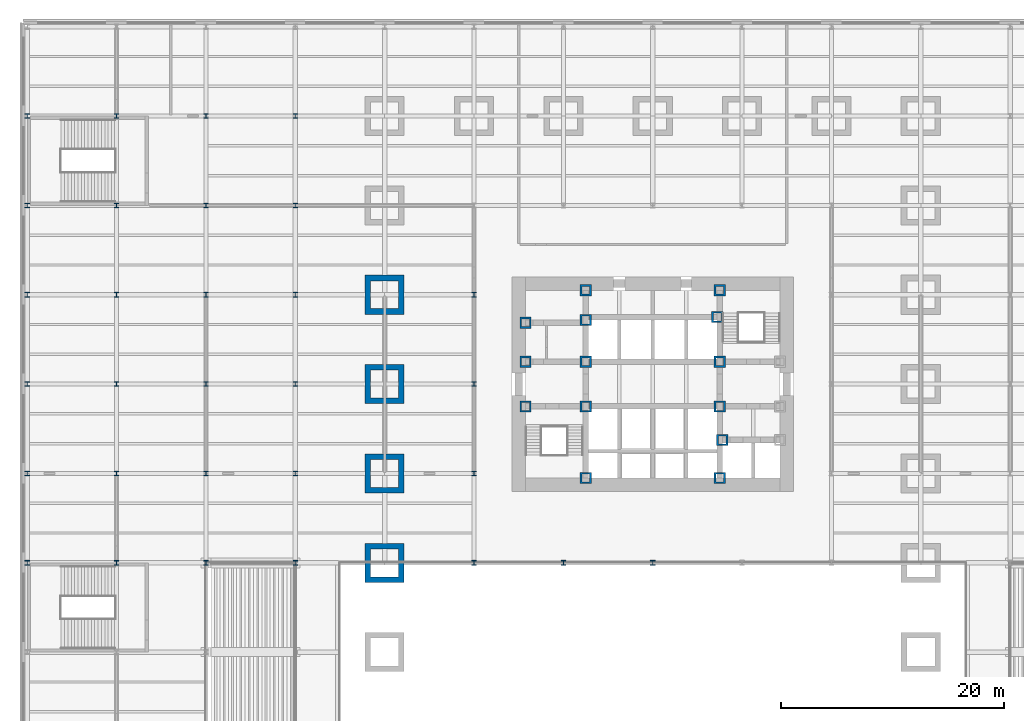
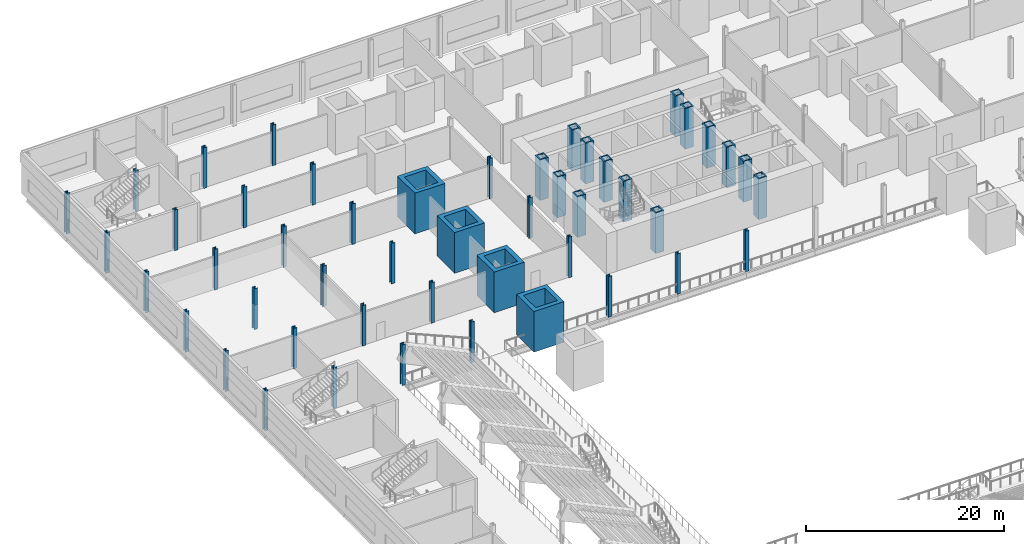
# One storey, part 4 of 27: 48 columns.
"""IFC4 building model written with IfcOpenShell, lengths in metres."""

import ifcopenshell
import ifcopenshell.guid

model = None  # the IFC model being written
_history = None  # IfcOwnerHistory: only IFC2X3 demands one
_inside = {}  # id of a spatial element -> (the spatial element, [elements in it])
_under = {}  # id of a project, library or spatial element -> (it, [spatial elements below it])
_declared = {}  # id of a project -> (the project, [libraries it declares])
_typed = {}  # id of a type object -> (the type object, [elements of that type])
_made_of = {}  # id of a material, layer set ... -> (it, [elements and type objects made of it])


def new_model(schema):
    """Start an empty IFC model of exactly this schema.

    Asked for "IFC4X3", IfcOpenShell would pick the latest addendum, in which some entities
    have other attributes; the version numbers below select the first issue.
    IFC2X3 requires an IfcOwnerHistory on every rooted entity: one is made here for all.
    """
    global model, _history
    if schema == "IFC4X3":
        model = ifcopenshell.file(schema_version=(4, 3, 0, 0))
    else:
        model = ifcopenshell.file(schema=schema)
    _inside.clear()
    _under.clear()
    _declared.clear()
    _typed.clear()
    _made_of.clear()
    _history = None
    if model.schema == "IFC2X3":
        org = make("IfcOrganization", Name="unknown")
        user = make(
            "IfcPersonAndOrganization",
            ThePerson=make("IfcPerson", FamilyName="unknown"),
            TheOrganization=org,
        )
        app = make(
            "IfcApplication",
            ApplicationDeveloper=org,
            Version="unknown",
            ApplicationFullName="unknown",
            ApplicationIdentifier="unknown",
        )
        _history = make(
            "IfcOwnerHistory",
            OwningUser=user,
            OwningApplication=app,
            ChangeAction="ADDED",
            CreationDate=0,
        )
    return model


def make(cls, **values):
    """One entity of the class cls with the attributes given. An attribute that is None is left unset."""
    return model.create_entity(
        cls, **{name: value for name, value in values.items() if value is not None}
    )


def rooted(cls, **values):
    """An entity with a GlobalId (a new one), such as an element, a storey or a relation."""
    return make(cls, GlobalId=ifcopenshell.guid.new(), OwnerHistory=_history, **values)


def si_unit(unit_type, name, prefix=None):
    """IfcSIUnit, for example si_unit("LENGTHUNIT", "METRE", prefix="MILLI")."""
    return make("IfcSIUnit", UnitType=unit_type, Prefix=prefix, Name=name)


def assignment(units):
    """IfcUnitAssignment: the units of a project."""
    return None if units is None else make("IfcUnitAssignment", Units=units)


def point(xyz):
    """IfcCartesianPoint."""
    return None if xyz is None else make("IfcCartesianPoint", Coordinates=xyz)


def direction(xyz):
    """IfcDirection."""
    return None if xyz is None else make("IfcDirection", DirectionRatios=xyz)


def frame(location, z_axis=None, x_axis=None):
    """IfcAxis2Placement3D, a coordinate frame: its origin and axes. An axis left out is left unset."""
    return make(
        "IfcAxis2Placement3D",
        Location=point(location),
        Axis=direction(z_axis),
        RefDirection=direction(x_axis),
    )


def frame_2d(location, x_axis=None):
    """IfcAxis2Placement2D, a coordinate frame in the plane: its origin and x axis."""
    return make(
        "IfcAxis2Placement2D", Location=point(location), RefDirection=direction(x_axis)
    )


def origin():
    """The frame at (0, 0, 0) with its axes left unset."""
    return frame((0.0, 0.0, 0.0))


def origin_2d():
    """The frame at (0, 0) in the plane with its x axis left unset."""
    return frame_2d((0.0, 0.0))


def place(relative_to, where):
    """IfcLocalPlacement: puts the frame where relative to a parent placement (None: the world)."""
    return make(
        "IfcLocalPlacement", PlacementRelTo=relative_to, RelativePlacement=where
    )


def context(
    kind, dimensions, precision=None, world=None, true_north=None, identifier=None
):
    """IfcGeometricRepresentationContext, for example the 3D "Model" context."""
    return make(
        "IfcGeometricRepresentationContext",
        ContextIdentifier=identifier,
        ContextType=kind,
        CoordinateSpaceDimension=dimensions,
        Precision=precision,
        WorldCoordinateSystem=world,
        TrueNorth=true_north,
    )


def subcontext(parent, identifier, kind, view, scale=None):
    """IfcGeometricRepresentationSubContext, for example "Body" below "Model"."""
    return make(
        "IfcGeometricRepresentationSubContext",
        ContextIdentifier=identifier,
        ContextType=kind,
        ParentContext=parent,
        TargetScale=scale,
        TargetView=view,
    )


def project(units=None, contexts=None):
    """IfcProject with its units and contexts."""
    return rooted(
        "IfcProject",
        Name="project",
        RepresentationContexts=contexts,
        UnitsInContext=assignment(units),
    )


def spatial(cls, under=None, at=None, **own):
    """A site, building, storey or space (cls), placed at a placement, below another one or the project."""
    s = rooted(cls, ObjectPlacement=at, **own)
    if under is not None:
        _under.setdefault(under.id(), (under, []))[1].append(s)
    return s


def profile(cls, at=None, kind="AREA", **sizes):
    """A parametric profile (cls). Its sizes go by their IFC names, for example OverallWidth=200.0."""
    return make(cls, ProfileType=kind, Position=at, **sizes)


def hollow_rectangle(**sizes):
    """IfcRectangleHollowProfileDef."""
    return profile("IfcRectangleHollowProfileDef", **sizes)


def i_section(**sizes):
    """IfcIShapeProfileDef."""
    return profile("IfcIShapeProfileDef", **sizes)


def extrude(swept, where, along, depth):
    """IfcExtrudedAreaSolid: the profile swept, set in the frame where, extruded along a direction by depth."""
    return make(
        "IfcExtrudedAreaSolid",
        SweptArea=swept,
        Position=where,
        ExtrudedDirection=direction(along),
        Depth=depth,
    )


def shape(context_of_items, identifier, shape_type, items):
    """IfcShapeRepresentation: the items that make up one representation, for example the "Body"."""
    return make(
        "IfcShapeRepresentation",
        ContextOfItems=context_of_items,
        RepresentationIdentifier=identifier,
        RepresentationType=shape_type,
        Items=items,
    )


def material(Name=None, Category=None):
    """IfcMaterial."""
    return make("IfcMaterial", Name=Name, Category=Category)


def material_profile(
    of_material, cross_section, Name=None, Category=None, Priority=None
):
    """IfcMaterialProfile: a cross section and its material."""
    return make(
        "IfcMaterialProfile",
        Name=Name,
        Material=of_material,
        Profile=cross_section,
        Priority=Priority,
        Category=Category,
    )


def profile_set(profiles, Name=None, composite=None):
    """IfcMaterialProfileSet."""
    return make(
        "IfcMaterialProfileSet",
        Name=Name,
        MaterialProfiles=profiles,
        CompositeProfile=composite,
    )


def made_of(thing, what):
    """Note that an element or type object is made of a material, layer set ...; save() writes the relation."""
    if what is not None:
        _made_of.setdefault(what.id(), (what, []))[1].append(thing)
    return thing


def type_object(cls, material=None, **own):
    """A type object (cls), such as IfcWallType, which elements share."""
    return made_of(rooted(cls, **own), material)


def element(
    cls,
    number,
    at=None,
    inside=None,
    cuts=None,
    type_object=None,
    material=None,
    context=None,
    identifier="Body",
    shape_type=None,
    held_by="IfcProductDefinitionShape",
    body=None,
    shapes=None,
    **own,
):
    """One element of the class cls, such as IfcWall. Its Tag is "e" and its number.

    at: its placement. inside: the storey or other place that contains it. cuts: it is an
    opening in that element (IfcRelVoidsElement). A single representation is given by context,
    identifier, shape_type and body (its items); several are given by shapes. held_by: the class
    of the entity that holds the representations. save() writes the other relations.
    """
    e = rooted(cls, Tag="e%d" % number, ObjectPlacement=at, **own)
    if body is not None:
        shapes = [shape(context, identifier, shape_type, body)]
    if shapes is not None:
        e.Representation = make(held_by, Representations=shapes)
    if inside is not None:
        _inside.setdefault(inside.id(), (inside, []))[1].append(e)
    if cuts is not None:
        rooted(
            "IfcRelVoidsElement", RelatingBuildingElement=cuts, RelatedOpeningElement=e
        )
    if type_object is not None:
        _typed.setdefault(type_object.id(), (type_object, []))[1].append(e)
    return made_of(e, material)


def aggregate(whole, parts):
    """IfcRelAggregates: a whole, such as a stair, and the parts it consists of."""
    return rooted("IfcRelAggregates", RelatingObject=whole, RelatedObjects=parts)


def save(model, path):
    """Write the relations noted so far, then the file.

    IfcRelAggregates (storeys below a building ...), IfcRelContainedInSpatialStructure (elements
    in a storey), IfcRelDefinesByType, IfcRelAssociatesMaterial and IfcRelDeclares: one each for
    every whole, place, type object, material and project.
    """
    for whole, parts in _under.values():
        aggregate(whole, parts)
    for where, things in _inside.values():
        rooted(
            "IfcRelContainedInSpatialStructure",
            RelatedElements=things,
            RelatingStructure=where,
        )
    for kind, things in _typed.values():
        rooted("IfcRelDefinesByType", RelatedObjects=things, RelatingType=kind)
    for what, things in _made_of.values():
        rooted("IfcRelAssociatesMaterial", RelatedObjects=things, RelatingMaterial=what)
    for by, libraries in _declared.values():
        rooted("IfcRelDeclares", RelatingContext=by, RelatedDefinitions=libraries)
    model.write(path)


model = new_model("IFC4")

# Units and contexts
model_context = context("Model", 3, precision=1e-05, world=origin(), true_north=direction((0.0, 1.0)))
body_context = subcontext(model_context, "Body", "Model", "MODEL_VIEW")
ifc_project = project(units=[si_unit("LENGTHUNIT", "METRE"), si_unit("AREAUNIT", "SQUARE_METRE"), si_unit("VOLUMEUNIT", "CUBIC_METRE"), si_unit("PLANEANGLEUNIT", "RADIAN"), si_unit("MASSUNIT", "GRAM", prefix="KILO")], contexts=[model_context])

# Site, building, storey
site_placement = place(None, origin())
site = spatial("IfcSite", under=ifc_project, at=site_placement, CompositionType="ELEMENT")
building_placement = place(site_placement, origin())
building = spatial("IfcBuilding", under=site, at=building_placement, Name="Daluyong Arena Tower", CompositionType="ELEMENT")
storey_placement = place(building_placement, frame((0.0, 0.0, 14.89990234375)))
storey = spatial("IfcBuildingStorey", under=building, at=storey_placement, Name="L03", CompositionType="ELEMENT", Elevation=14.89990234375)

# Columns
ifc_material_1 = material(Name="Steel ASTM A588 Grade 50", Category="steel")
ifc_material_profile_1 = material_profile(ifc_material_1, hollow_rectangle(XDim=1.0, YDim=1.0, WallThickness=0.15, at=origin_2d()))
ifc_profile_set_1 = profile_set([ifc_material_profile_1], Name="Steel ASTM A588 Grade 50")
column_type_1 = type_object("IfcColumnType", Name="Core boundary column BX1000X150", PredefinedType="COLUMN", material=ifc_profile_set_1)
for number, where, z_axis, x_axis, name in (
    (1, (44.60009765625, 78.0, 0.0), (0.0, 0.0, 1.0), (1.0, 0.0, 0.0), "core boundary column BC1"),
    (2, (44.60009765625, 82.0, 0.0), (0.0, 0.0, 1.0), (1.0, 0.0, 0.0), "core boundary column BC1"),
    (3, (44.60009765625, 85.5, 0.0), (0.0, 0.0, 1.0), (1.0, 0.0, 0.0), "core boundary column BC1"),
    (4, (50.0, 71.60009765625, 0.0), (0.0, 0.0, 1.0), (1.0, 0.0, 0.0), "core boundary column BC1"),
    (5, (50.0, 78.0, 0.0), (0.0, 0.0, 1.0), (1.0, 0.0, 0.0), "core boundary column BC1"),
    (6, (50.0, 82.0, 0.0), (0.0, 0.0, 1.0), (1.0, 0.0, 0.0), "core boundary column BC1"),
    (7, (50.0, 85.75, 0.0), (0.0, 0.0, 1.0), (1.0, 0.0, 0.0), "core boundary column BC1"),
    (8, (50.0, 88.39990234375, 0.0), (0.0, 0.0, 1.0), (1.0, 0.0, 0.0), "core boundary column BC1"),
    (9, (61.77490234375, 86.0, 0.0), (0.0, 0.0, 1.0), (1.0, 0.0, 0.0), "core boundary column BC1"),
    (10, (62.0, 71.60009765625, 0.0), (0.0, 0.0, 1.0), (1.0, 0.0, 0.0), "core boundary column BC1"),
    (11, (62.0, 78.0, 0.0), (0.0, 0.0, 1.0), (1.0, 0.0, 0.0), "core boundary column BC1"),
    (12, (62.0, 82.0, 0.0), (0.0, 0.0, 1.0), (1.0, 0.0, 0.0), "core boundary column BC1"),
    (13, (62.0, 88.39990234375, 0.0), (0.0, 0.0, 1.0), (1.0, 0.0, 0.0), "core boundary column BC1"),
    (14, (62.22509765625, 75.0, 0.0), (0.0, 0.0, 1.0), (1.0, 0.0, 0.0), "core boundary column BC1"),
):
    element("IfcColumn", number, at=place(storey_placement, frame(where, z_axis=z_axis, x_axis=x_axis)), inside=storey, type_object=column_type_1, Name=name, PredefinedType="COLUMN", context=body_context, shape_type="SweptSolid", body=[
        extrude(hollow_rectangle(XDim=1.0, YDim=1.0, WallThickness=0.15, at=origin_2d()), origin(), (0.0, 0.0, 1.0), 5.0),
    ])
ifc_material_2 = material(Name="Steel ASTM A992 Grade 50", Category="steel")
ifc_material_profile_2 = material_profile(ifc_material_2, i_section(OverallWidth=0.406494140625, OverallDepth=0.41650390625, WebThickness=0.030029296875, FlangeThickness=0.048095703125, at=origin_2d()))
ifc_profile_set_2 = profile_set([ifc_material_profile_2], Name="Steel ASTM A992 Grade 50")
column_type_2 = type_object("IfcColumnType", Name="Podium column W14X257", PredefinedType="COLUMN", material=ifc_profile_set_2)
for number, where, z_axis, x_axis, name in (
    (15, (0.0, 64.0, 0.0), (0.0, 0.0, 1.0), (1.0, 0.0, 0.0), "podium column PC2"),
    (16, (0.0, 72.0, 0.0), (0.0, 0.0, 1.0), (1.0, 0.0, 0.0), "podium column PC2"),
    (17, (0.0, 80.0, 0.0), (0.0, 0.0, 1.0), (1.0, 0.0, 0.0), "podium column PC2"),
    (18, (0.0, 88.0, 0.0), (0.0, 0.0, 1.0), (1.0, 0.0, 0.0), "podium column PC2"),
    (19, (0.0, 96.0, 0.0), (0.0, 0.0, 1.0), (1.0, 0.0, 0.0), "podium column PC2"),
    (20, (0.0, 104.0, 0.0), (0.0, 0.0, 1.0), (1.0, 0.0, 0.0), "podium column PC2"),
    (21, (8.0, 64.0, 0.0), (0.0, 0.0, 1.0), (1.0, 0.0, 0.0), "podium column PC2"),
    (22, (8.0, 72.0, 0.0), (0.0, 0.0, 1.0), (1.0, 0.0, 0.0), "podium column PC2"),
    (23, (8.0, 80.0, 0.0), (0.0, 0.0, 1.0), (1.0, 0.0, 0.0), "podium column PC2"),
    (24, (8.0, 88.0, 0.0), (0.0, 0.0, 1.0), (1.0, 0.0, 0.0), "podium column PC2"),
    (25, (8.0, 96.0, 0.0), (0.0, 0.0, 1.0), (1.0, 0.0, 0.0), "podium column PC2"),
    (26, (8.0, 104.0, 0.0), (0.0, 0.0, 1.0), (1.0, 0.0, 0.0), "podium column PC2"),
    (27, (16.0, 64.0, 0.0), (0.0, 0.0, 1.0), (1.0, 0.0, 0.0), "podium column PC2"),
    (28, (16.0, 72.0, 0.0), (0.0, 0.0, 1.0), (1.0, 0.0, 0.0), "podium column PC2"),
    (29, (16.0, 80.0, 0.0), (0.0, 0.0, 1.0), (1.0, 0.0, 0.0), "podium column PC2"),
    (30, (16.0, 88.0, 0.0), (0.0, 0.0, 1.0), (1.0, 0.0, 0.0), "podium column PC2"),
    (31, (16.0, 96.0, 0.0), (0.0, 0.0, 1.0), (1.0, 0.0, 0.0), "podium column PC2"),
    (32, (16.0, 104.0, 0.0), (0.0, 0.0, 1.0), (1.0, 0.0, 0.0), "podium column PC2"),
    (33, (24.0, 64.0, 0.0), (0.0, 0.0, 1.0), (1.0, 0.0, 0.0), "podium column PC2"),
    (34, (24.0, 72.0, 0.0), (0.0, 0.0, 1.0), (1.0, 0.0, 0.0), "podium column PC2"),
    (35, (24.0, 80.0, 0.0), (0.0, 0.0, 1.0), (1.0, 0.0, 0.0), "podium column PC2"),
    (36, (24.0, 88.0, 0.0), (0.0, 0.0, 1.0), (1.0, 0.0, 0.0), "podium column PC2"),
    (37, (24.0, 96.0, 0.0), (0.0, 0.0, 1.0), (1.0, 0.0, 0.0), "podium column PC2"),
    (38, (24.0, 104.0, 0.0), (0.0, 0.0, 1.0), (1.0, 0.0, 0.0), "podium column PC2"),
    (39, (40.0, 64.0, 0.0), (0.0, 0.0, 1.0), (1.0, 0.0, 0.0), "podium column PC2"),
    (40, (40.0, 72.0, 0.0), (0.0, 0.0, 1.0), (1.0, 0.0, 0.0), "podium column PC2"),
    (41, (40.0, 80.0, 0.0), (0.0, 0.0, 1.0), (1.0, 0.0, 0.0), "podium column PC2"),
    (42, (40.0, 88.0, 0.0), (0.0, 0.0, 1.0), (1.0, 0.0, 0.0), "podium column PC2"),
    (43, (48.0, 64.0, 0.0), (0.0, 0.0, 1.0), (1.0, 0.0, 0.0), "podium column PC2"),
    (44, (56.0, 64.0, 0.0), (0.0, 0.0, 1.0), (1.0, 0.0, 0.0), "podium column PC2"),
):
    element("IfcColumn", number, at=place(storey_placement, frame(where, z_axis=z_axis, x_axis=x_axis)), inside=storey, type_object=column_type_2, Name=name, PredefinedType="COLUMN", context=body_context, shape_type="SweptSolid", body=[
        extrude(i_section(OverallWidth=0.406494140625, OverallDepth=0.41650390625, WebThickness=0.030029296875, FlangeThickness=0.048095703125, at=origin_2d()), origin(), (0.0, 0.0, 1.0), 5.0),
    ])
ifc_material_3 = material(Name="Steel ASTM A36", Category="steel")
ifc_material_profile_3 = material_profile(ifc_material_3, hollow_rectangle(XDim=3.5, YDim=3.5, WallThickness=0.5, at=origin_2d()))
ifc_profile_set_3 = profile_set([ifc_material_profile_3], Name="Steel ASTM A36")
column_type_3 = type_object("IfcColumnType", Name="Podium megacolumn BX3500X500", PredefinedType="COLUMN", material=ifc_profile_set_3)
for number, where, z_axis, x_axis, name in (
    (45, (32.0, 64.0, 0.0), (0.0, 0.0, 1.0), (1.0, 0.0, 0.0), "podium megacolumn MC1"),
    (46, (32.0, 72.0, 0.0), (0.0, 0.0, 1.0), (1.0, 0.0, 0.0), "podium megacolumn MC1"),
    (47, (32.0, 80.0, 0.0), (0.0, 0.0, 1.0), (1.0, 0.0, 0.0), "podium megacolumn MC1"),
    (48, (32.0, 88.0, 0.0), (0.0, 0.0, 1.0), (1.0, 0.0, 0.0), "podium megacolumn MC1"),
):
    element("IfcColumn", number, at=place(storey_placement, frame(where, z_axis=z_axis, x_axis=x_axis)), inside=storey, type_object=column_type_3, Name=name, PredefinedType="COLUMN", context=body_context, shape_type="SweptSolid", body=[
        extrude(hollow_rectangle(XDim=3.5, YDim=3.5, WallThickness=0.5, at=origin_2d()), origin(), (0.0, 0.0, 1.0), 5.0),
    ])

save(model, "model.ifc")
